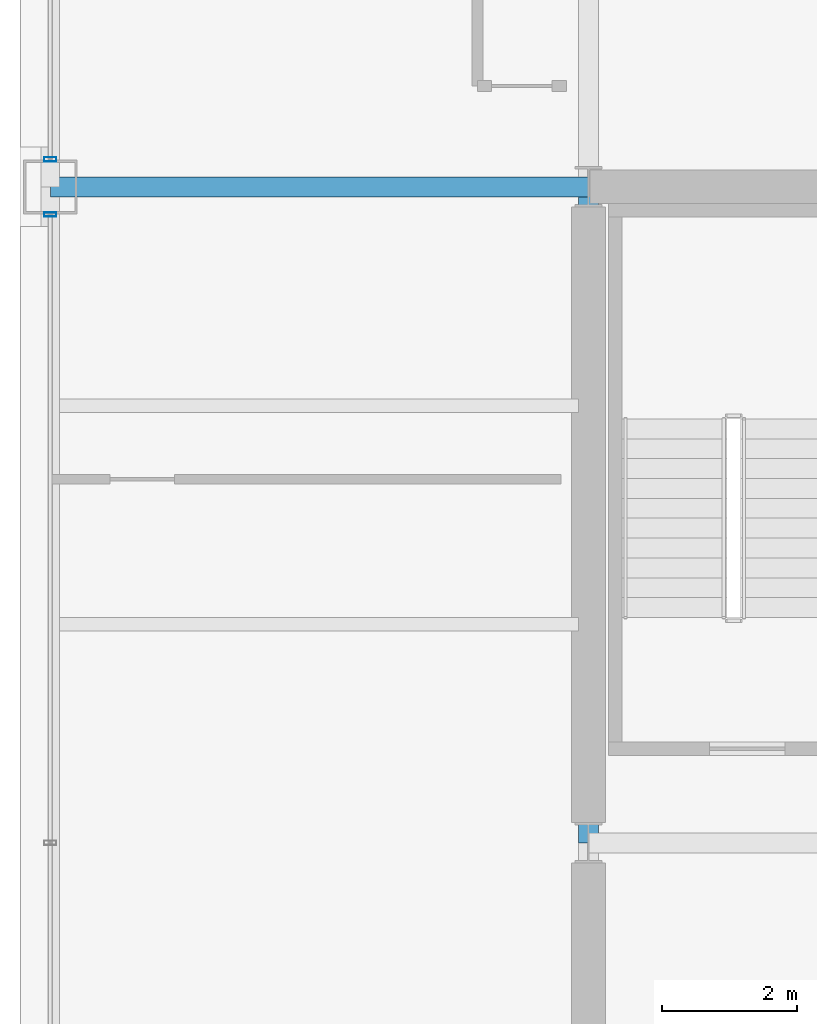
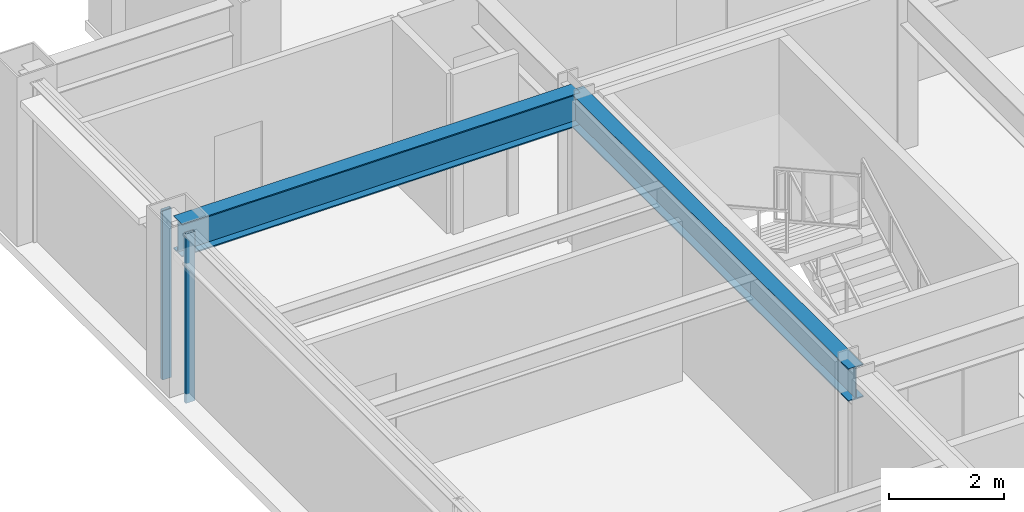
# One storey, part 10 of 29: 2 beams, 2 members, 2 elements without a shape of their own.
"""IFC4 building model written with IfcOpenShell, lengths in metres."""

from ifc_helpers import new_model, si_unit, direction, frame, origin, origin_2d, place, context, subcontext, project, spatial, hollow_rectangle, i_section, extrude, material, layer, layer_set, material_profile, profile_set, type_object, element, aggregate, save


model = new_model("IFC4")

# Units and contexts
model_context = context("Model", 3, precision=1e-05, world=origin(), true_north=direction((0.0, 1.0)))
body_context = subcontext(model_context, "Body", "Model", "MODEL_VIEW")
ifc_project = project(units=[si_unit("LENGTHUNIT", "METRE"), si_unit("AREAUNIT", "SQUARE_METRE"), si_unit("VOLUMEUNIT", "CUBIC_METRE"), si_unit("PLANEANGLEUNIT", "RADIAN"), si_unit("MASSUNIT", "GRAM", prefix="KILO")], contexts=[model_context])

# Site, building, storey
site_placement = place(None, origin())
site = spatial("IfcSite", under=ifc_project, at=site_placement, CompositionType="ELEMENT")
building_placement = place(site_placement, origin())
building = spatial("IfcBuilding", under=site, at=building_placement, Name="Brelmoor Portico Tower", CompositionType="ELEMENT")
storey_placement = place(building_placement, frame((0.0, 0.0, 135.0)))
storey = spatial("IfcBuildingStorey", under=building, at=storey_placement, Name="L35", CompositionType="ELEMENT", Elevation=135.0)

# Beams
ifc_material_1 = material(Name="Steel Q355B", Category="steel")
ifc_material_profile_1 = material_profile(ifc_material_1, i_section(OverallWidth=0.300048828125, OverallDepth=0.699951171875, WebThickness=0.012939453125, FlangeThickness=0.02392578125, at=origin_2d()), Name="HN 700x300x13x24")
ifc_profile_set_1 = profile_set([ifc_material_profile_1], Name="Steel Q355B")
beam_type = type_object("IfcBeamType", Name="BM-PG-700", PredefinedType="BEAM", material=ifc_profile_set_1)
beam_1_placement = place(storey_placement, frame((-14.550048828125, 0.0, 3.050048828125), z_axis=(0.0, 1.0, 0.0), x_axis=(-1.0, 0.0, 0.0)))
element("IfcBeam", 1, at=beam_1_placement, inside=storey, type_object=beam_type, Name="L35 Primary Floor Girder PG-03", PredefinedType="BEAM", context=body_context, shape_type="SweptSolid", body=[
    extrude(i_section(OverallWidth=0.300048828125, OverallDepth=0.699951171875, WebThickness=0.012939453125, FlangeThickness=0.02392578125, at=origin_2d()), origin(), (0.0, 0.0, 1.0), 9.75),
])
beam_2_placement = place(storey_placement, frame((-22.550048828125, 9.75, 3.050048828125), z_axis=(1.0, 0.0, 0.0), x_axis=(0.0, 1.0, 0.0)))
element("IfcBeam", 2, at=beam_2_placement, inside=storey, type_object=beam_type, Name="L35 Primary Floor Girder PG-22", PredefinedType="BEAM", context=body_context, shape_type="SweptSolid", body=[
    extrude(i_section(OverallWidth=0.300048828125, OverallDepth=0.699951171875, WebThickness=0.012939453125, FlangeThickness=0.02392578125, at=origin_2d()), origin(), (0.0, 0.0, 1.0), 8.0),
])

# Curtain wall, member
ifc_material_2 = material(Name="Anodised Aluminium Alloy 6063-T6", Category="aluminium")
ifc_layer = layer(ifc_material_2, 0.179931640625)
ifc_layer_set = layer_set([ifc_layer], Name="Anodised Aluminium Alloy 6063-T6")
curtain_wall_type = type_object("IfcCurtainWallType", Name="CW-TOWER-Z2-XB", PredefinedType="NOTDEFINED", material=ifc_layer_set)
curtain_wall_1_placement = place(storey_placement, origin())
curtain_wall_1 = element("IfcCurtainWall", 3, at=curtain_wall_1_placement, inside=storey, type_object=curtain_wall_type, Name="L35 Curtain Wall CW-L35-03-2", PredefinedType="NOTDEFINED")
ifc_material_profile_2 = material_profile(ifc_material_2, hollow_rectangle(XDim=0.06494140625, YDim=0.179931640625, WallThickness=0.00390625, at=origin_2d()), Name="ALU MULLION 65x180")
ifc_profile_set_2 = profile_set([ifc_material_profile_2], Name="Anodised Aluminium Alloy 6063-T6")
member_type = type_object("IfcMemberType", Name="MB-CW-MULL-180", PredefinedType="MULLION", material=ifc_profile_set_2)
member_1_placement = place(storey_placement, frame((-22.550048828125, 9.340087890625, -0.199951171875), z_axis=(0.0, 0.0, 1.0), x_axis=(0.0, 1.0, 0.0)))
member_1 = element("IfcMember", 4, at=member_1_placement, type_object=member_type, Name="CW-L35-03-2 Mullion 02", PredefinedType="MULLION", context=body_context, shape_type="SweptSolid", body=[
    extrude(hollow_rectangle(XDim=0.06494140625, YDim=0.179931640625, WallThickness=0.00390625, at=origin_2d()), origin(), (0.0, 0.0, 1.0), 3.599853515625),
])
aggregate(curtain_wall_1, [member_1])

curtain_wall_2_placement = place(storey_placement, origin())
curtain_wall_2 = element("IfcCurtainWall", 5, at=curtain_wall_2_placement, inside=storey, type_object=curtain_wall_type, Name="L35 Curtain Wall CW-L35-03-3", PredefinedType="NOTDEFINED")
member_2_placement = place(storey_placement, frame((-22.550048828125, 10.159912109375, -0.199951171875), z_axis=(0.0, 0.0, 1.0), x_axis=(0.0, 1.0, 0.0)))
member_2 = element("IfcMember", 6, at=member_2_placement, type_object=member_type, Name="CW-L35-03-3 Mullion 00", PredefinedType="MULLION", context=body_context, shape_type="SweptSolid", body=[
    extrude(hollow_rectangle(XDim=0.06494140625, YDim=0.179931640625, WallThickness=0.00390625, at=origin_2d()), origin(), (0.0, 0.0, 1.0), 3.599853515625),
])
aggregate(curtain_wall_2, [member_2])

save(model, "model.ifc")
